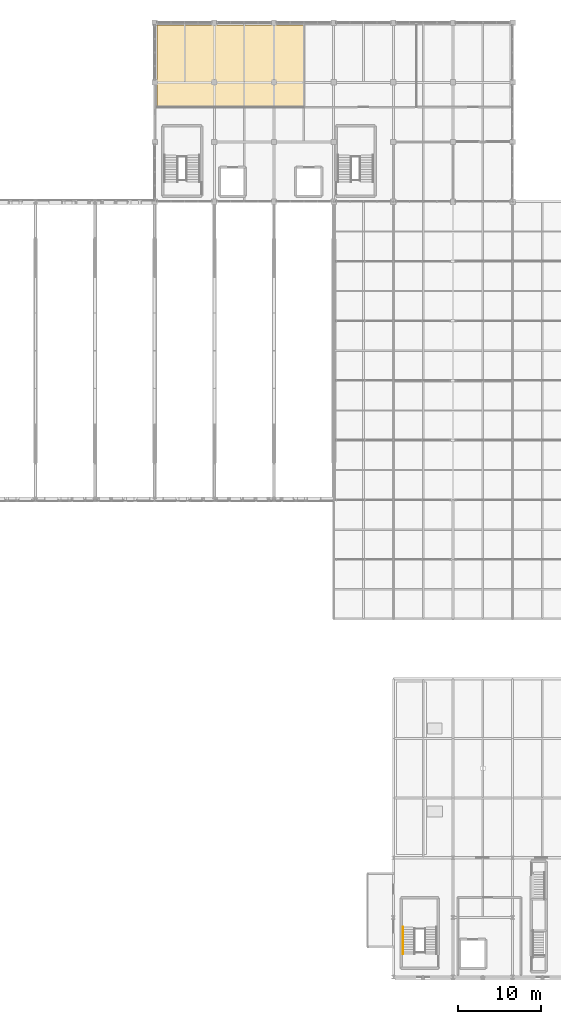
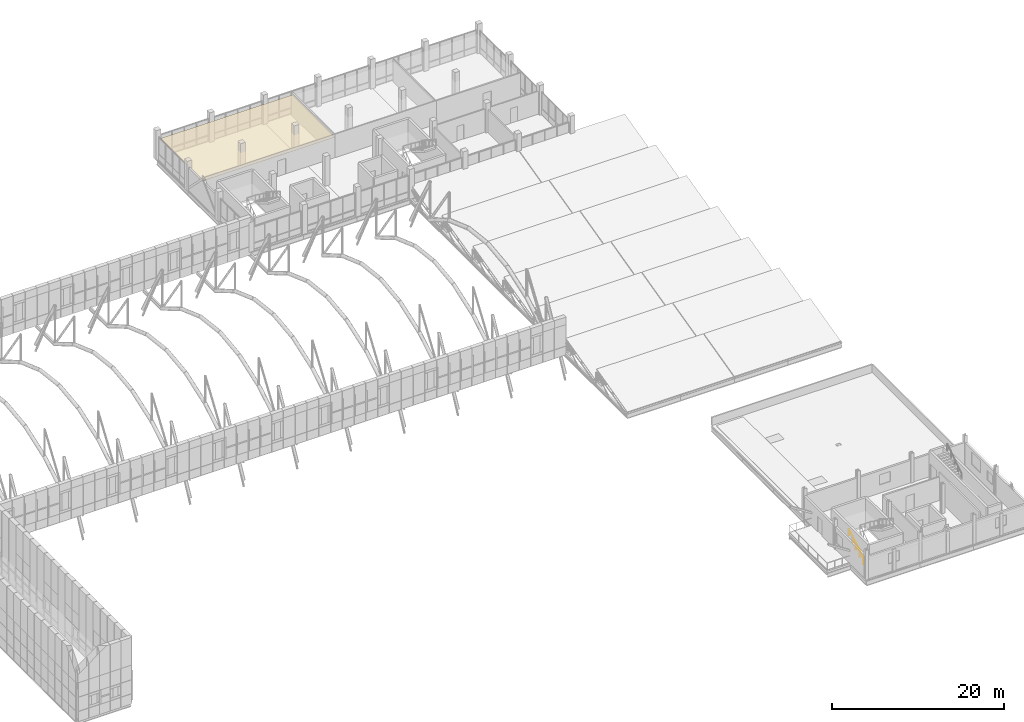
# One storey, part 142 of 144: 1 covering, 1 railing.
"""IFC4 building model written with IfcOpenShell, lengths in metres."""

from ifc_helpers import new_model, si_unit, direction, frame, origin, origin_2d, place, context, subcontext, project, spatial, polyline, circle, outline, extrude, material, layer, layer_set, type_object, element, save


model = new_model("IFC4")

# Units and contexts
model_context = context("Model", 3, precision=1e-05, world=origin(), true_north=direction((0.0, 1.0)))
body_context = subcontext(model_context, "Body", "Model", "MODEL_VIEW")
ifc_project = project(units=[si_unit("LENGTHUNIT", "METRE"), si_unit("AREAUNIT", "SQUARE_METRE"), si_unit("VOLUMEUNIT", "CUBIC_METRE"), si_unit("PLANEANGLEUNIT", "RADIAN"), si_unit("MASSUNIT", "GRAM", prefix="KILO")], contexts=[model_context])

# Site, building, storey
site_placement = place(None, origin())
site = spatial("IfcSite", under=ifc_project, at=site_placement, CompositionType="ELEMENT")
building_placement = place(site_placement, origin())
building = spatial("IfcBuilding", under=site, at=building_placement, Name="Yarey Park Central Fire Station", CompositionType="ELEMENT")
storey_placement = place(building_placement, frame((0.0, 0.0, 10.199951171875)))
storey = spatial("IfcBuildingStorey", under=building, at=storey_placement, Name="L03", CompositionType="ELEMENT", Elevation=10.199951171875)

# Covering
ifc_material_1 = material(Name="Acoustic Mineral Fibre Tile", Category="finish")
ifc_layer = layer(ifc_material_1, 0.031982421875)
ifc_layer_set = layer_set([ifc_layer], Name="Acoustic Mineral Fibre Tile")
covering_type = type_object("IfcCoveringType", Name="INT_CEIL_ACT_2", PredefinedType="CEILING", material=ifc_layer_set)
covering_placement = place(storey_placement, frame((0.0, 0.0, 2.85009765625)))
element("IfcCovering", 1, at=covering_placement, inside=storey, type_object=covering_type, Name="CEIL_SPC_L03_PREV1", PredefinedType="CEILING", context=body_context, shape_type="SweptSolid", body=[
    extrude(outline(polyline([(115.489990234375, 104.989990234375), (133.2099609375, 104.989990234375), (133.2099609375, 114.909912109375), (115.489990234375, 114.909912109375), (115.489990234375, 104.989990234375)])), origin(), (0.0, 0.0, 1.0), 0.031982421875),
])

# Railing
ifc_material_2 = material(Name="Stainless Steel AISI 316L", Category="steel")
railing_type = type_object("IfcRailingType", Name="INT_RAIL_HAND090", PredefinedType="HANDRAIL", material=ifc_material_2)
railing_placement = place(storey_placement, frame((145.179931640625, 2.75, 0.0)))
element("IfcRailing", 2, at=railing_placement, inside=storey, type_object=railing_type, Name="HR_C5_L03_F1", PredefinedType="HANDRAIL", context=body_context, shape_type="SweptSolid", body=[
    extrude(circle(Radius=0.02392578125, at=origin_2d()), frame((0.0, 0.0, 0.8759765625), z_axis=(0.0, 0.843653777646, 0.53688760785), x_axis=(-1.0, 0.0, 0.0)), (0.0, 0.0, 1.0), 3.91162109375),
    extrude(circle(Radius=0.02099609375, at=origin_2d()), origin(), (0.0, 0.0, 1.0), 0.851806640625),
    extrude(circle(Radius=0.02099609375, at=origin_2d()), frame((0.0, 0.824951171875, 0.52490234375)), (0.0, 0.0, 1.0), 0.851806640625),
    extrude(circle(Radius=0.02099609375, at=origin_2d()), frame((0.0, 1.64990234375, 1.050048828125)), (0.0, 0.0, 1.0), 0.851806640625),
    extrude(circle(Radius=0.02099609375, at=origin_2d()), frame((0.0, 2.47509765625, 1.5751953125)), (0.0, 0.0, 1.0), 0.851806640625),
    extrude(circle(Radius=0.02099609375, at=origin_2d()), frame((0.0, 3.300048828125, 2.10009765625)), (0.0, 0.0, 1.0), 0.851806640625),
])

save(model, "model.ifc")
